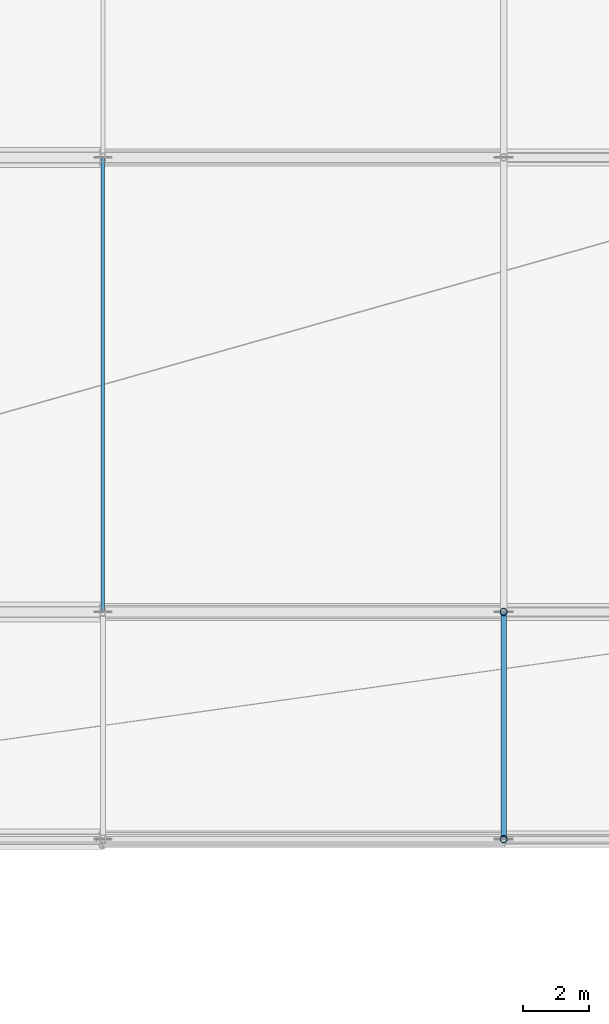
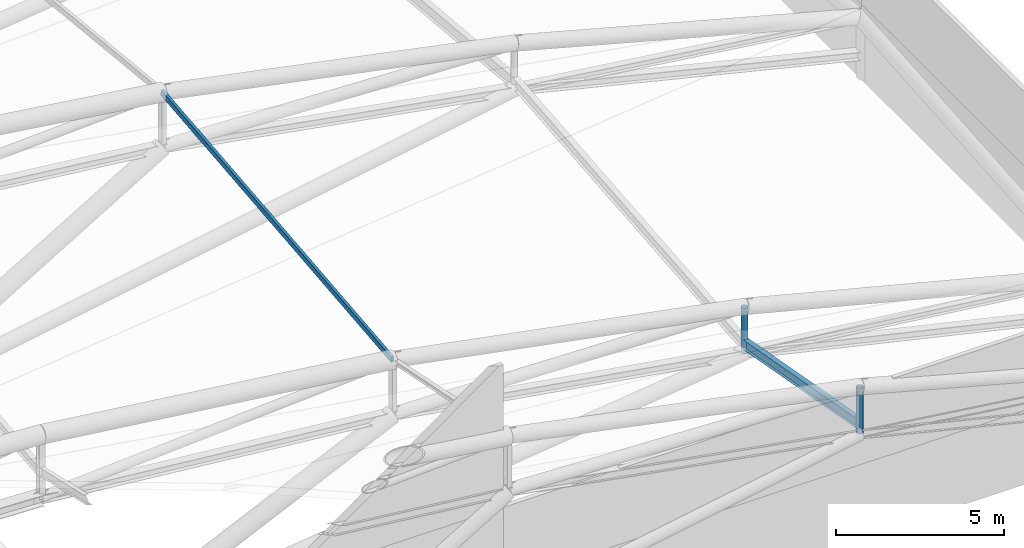
# One storey, part 8 of 36: 4 members.
"""IFC4 building model written with IfcOpenShell, lengths in metres."""

from ifc_helpers import new_model, si_unit, direction, frame, origin, origin_2d, place, context, subcontext, project, spatial, hollow_rectangle, hollow_circle, i_section, extrude, material, material_profile, profile_set, type_object, element, save


model = new_model("IFC4")

# Units and contexts
model_context = context("Model", 3, precision=1e-05, world=origin(), true_north=direction((0.0, 1.0)))
body_context = subcontext(model_context, "Body", "Model", "MODEL_VIEW")
ifc_project = project(units=[si_unit("LENGTHUNIT", "METRE"), si_unit("AREAUNIT", "SQUARE_METRE"), si_unit("VOLUMEUNIT", "CUBIC_METRE"), si_unit("PLANEANGLEUNIT", "RADIAN"), si_unit("MASSUNIT", "GRAM", prefix="KILO")], contexts=[model_context])

# Site, building, storey
site_placement = place(None, origin())
site = spatial("IfcSite", under=ifc_project, at=site_placement, CompositionType="ELEMENT")
building_placement = place(site_placement, origin())
building = spatial("IfcBuilding", under=site, at=building_placement, Name="Linyun Crest Stadium", CompositionType="ELEMENT")
storey_placement = place(building_placement, frame((0.0, 0.0, 31.60009765625)))
storey = spatial("IfcBuildingStorey", under=building, at=storey_placement, Name="RF", CompositionType="ELEMENT", Elevation=31.60009765625)

# Members
ifc_material_1 = material(Name="Steel Q355C", Category="steel")
ifc_material_profile_1 = material_profile(ifc_material_1, hollow_rectangle(XDim=0.10009765625, YDim=0.199951171875, WallThickness=0.008056640625, at=origin_2d()), Name="RHS 200x100x8")
ifc_profile_set_1 = profile_set([ifc_material_profile_1], Name="Steel Q355C")
member_type_1 = type_object("IfcMemberType", Name="AR02", PredefinedType="USERDEFINED", material=ifc_profile_set_1)
member_1_placement = place(storey_placement, frame((-59.75, -39.125, 6.473876953125), z_axis=(0.0, 0.994841166463, 0.101444829883), x_axis=(-1.0, 0.0, 0.0)))
element("IfcMember", 1, at=member_1_placement, inside=storey, type_object=member_type_1, Name="Art Nouveau canopy arch rib AR02 V1 160", ObjectType="ARCH RIB", PredefinedType="USERDEFINED", context=body_context, shape_type="SweptSolid", body=[
    extrude(hollow_rectangle(XDim=0.10009765625, YDim=0.199951171875, WallThickness=0.008056640625, at=origin_2d()), origin(), (0.0, 0.0, 1.0), 13.8212890625),
])
ifc_material_2 = material(Name="Steel Q355B", Category="steel")
ifc_material_profile_2 = material_profile(ifc_material_2, i_section(OverallWidth=0.175048828125, OverallDepth=0.35009765625, WebThickness=0.007080078125, FlangeThickness=0.010986328125, at=origin_2d()), Name="HN 350x175")
ifc_profile_set_2 = profile_set([ifc_material_profile_2], Name="Steel Q355B")
member_type_2 = type_object("IfcMemberType", Name="PR02", PredefinedType="PURLIN", material=ifc_profile_set_2)
member_2_placement = place(storey_placement, frame((-47.625, -46.0, 4.079833984375), z_axis=(0.0, 0.983771384181, -0.17942648541), x_axis=(-1.0, 0.0, 0.0)))
element("IfcMember", 2, at=member_2_placement, inside=storey, type_object=member_type_2, Name="Roof canopy purlin PR02 V1 154", PredefinedType="PURLIN", context=body_context, shape_type="SweptSolid", body=[
    extrude(i_section(OverallWidth=0.175048828125, OverallDepth=0.35009765625, WebThickness=0.007080078125, FlangeThickness=0.010986328125, at=origin_2d()), origin(), (0.0, 0.0, 1.0), 6.988525390625),
])
ifc_material_3 = material(Name="Steel Q355C", Category="steel")
ifc_material_profile_3 = material_profile(ifc_material_3, hollow_circle(Radius=0.109619140625, WallThickness=0.011962890625, at=origin_2d()), Name="CHS 219x12")
ifc_profile_set_3 = profile_set([ifc_material_profile_3], Name="Steel Q355C")
member_type_3 = type_object("IfcMemberType", Name="TV01", PredefinedType="STRUT", material=ifc_profile_set_3)
member_3_placement = place(storey_placement, frame((-47.625, -46.0, 3.7509765625), z_axis=(0.0, 0.0, 1.0), x_axis=(1.0, 0.0, 0.0)))
element("IfcMember", 3, at=member_3_placement, inside=storey, type_object=member_type_3, Name="Roof vertical strut TV01 V1 17", PredefinedType="STRUT", context=body_context, shape_type="SweptSolid", body=[
    extrude(hollow_circle(Radius=0.109619140625, WallThickness=0.011962890625, at=origin_2d()), origin(), (0.0, 0.0, 1.0), 1.663818359375),
])
member_4_placement = place(storey_placement, frame((-47.625, -39.125, 2.496826171875), z_axis=(0.0, 0.0, 1.0), x_axis=(1.0, 0.0, 0.0)))
element("IfcMember", 4, at=member_4_placement, inside=storey, type_object=member_type_3, Name="Roof vertical strut TV01 V1 36", PredefinedType="STRUT", context=body_context, shape_type="SweptSolid", body=[
    extrude(hollow_circle(Radius=0.109619140625, WallThickness=0.011962890625, at=origin_2d()), origin(), (0.0, 0.0, 1.0), 1.6640625),
])

save(model, "model.ifc")
